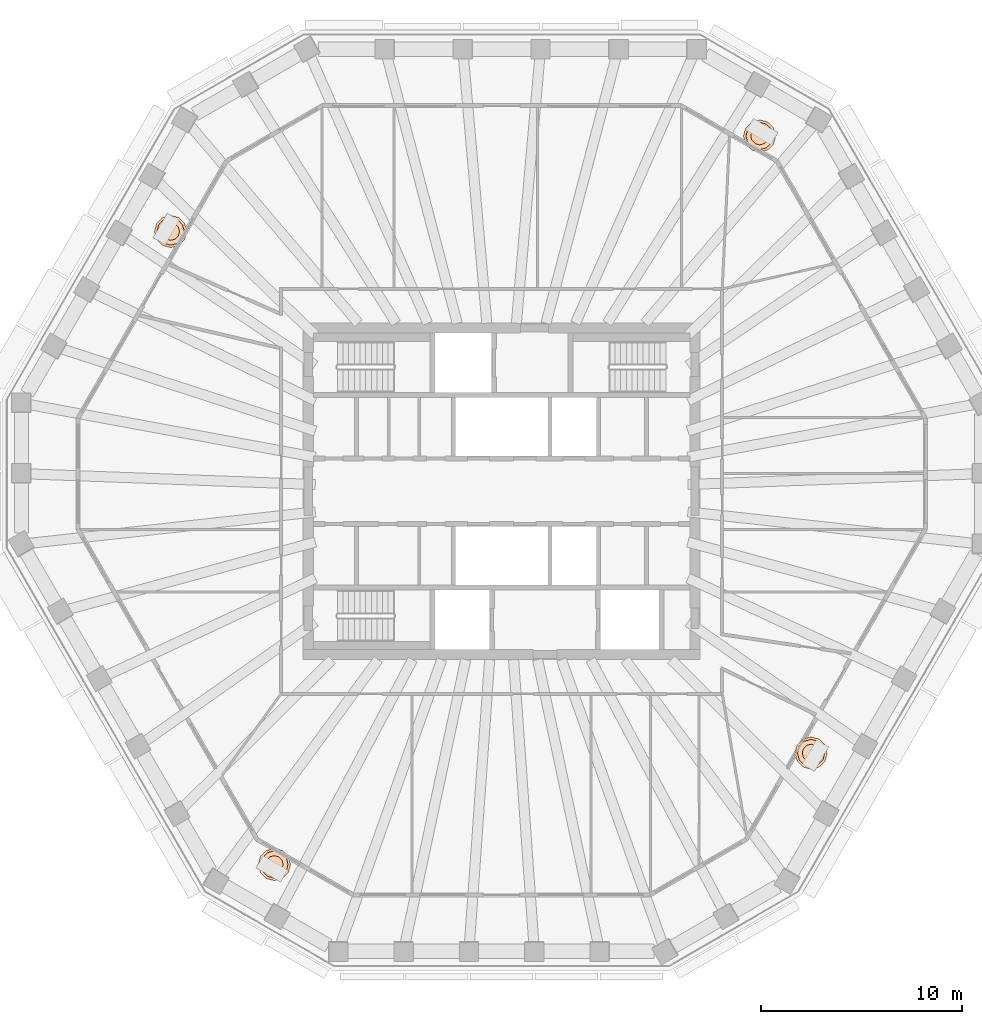
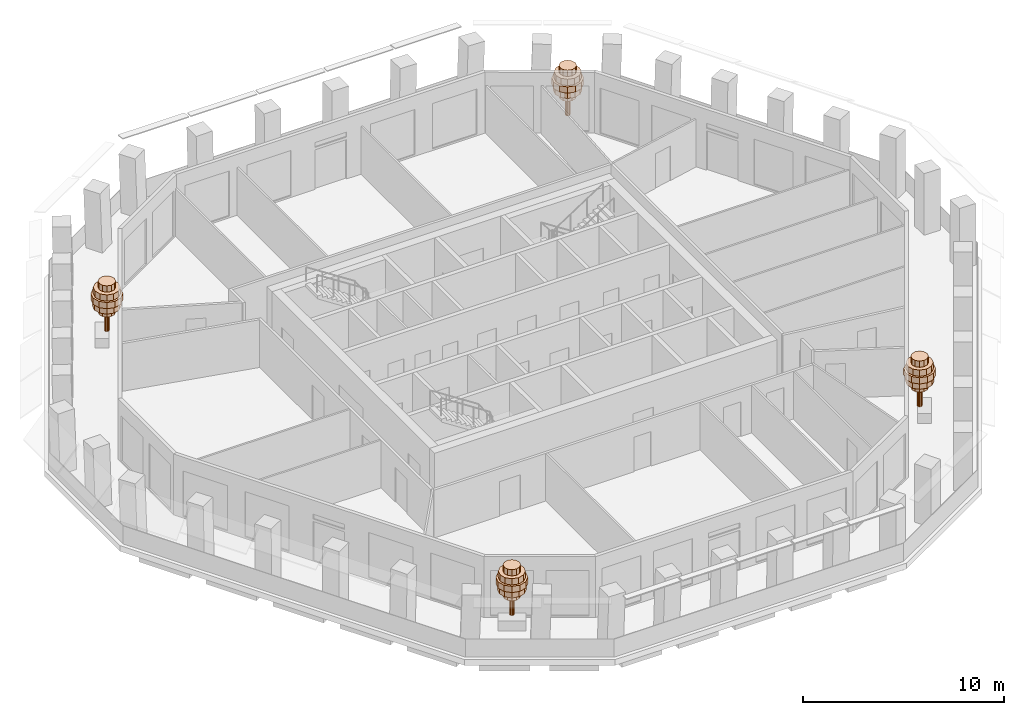
# One storey, part 12 of 12: 4 geographic elements.
"""IFC4 building model written with IfcOpenShell, lengths in metres."""

from ifc_helpers import new_model, si_unit, direction, frame, origin, place, context, subcontext, project, spatial, polyline, outline, extrude, material, type_object, element, save


model = new_model("IFC4")

# Units and contexts
model_context = context("Model", 3, precision=1e-05, world=origin(), true_north=direction((0.0, 1.0)))
body_context = subcontext(model_context, "Body", "Model", "MODEL_VIEW")
ifc_project = project(units=[si_unit("LENGTHUNIT", "METRE"), si_unit("AREAUNIT", "SQUARE_METRE"), si_unit("VOLUMEUNIT", "CUBIC_METRE"), si_unit("PLANEANGLEUNIT", "RADIAN"), si_unit("MASSUNIT", "GRAM", prefix="KILO")], contexts=[model_context])

# Site, building, storey
site_placement = place(None, origin())
site = spatial("IfcSite", under=ifc_project, at=site_placement, CompositionType="ELEMENT")
building_placement = place(site_placement, origin())
building = spatial("IfcBuilding", under=site, at=building_placement, Name="Frailejon Research Tower", CompositionType="ELEMENT")
storey_placement = place(building_placement, frame((0.0, 0.0, 291.0)))
storey = spatial("IfcBuildingStorey", under=building, at=storey_placement, Name="L64", CompositionType="ELEMENT", Elevation=291.0)

# Geographic elements
ifc_material = material(Name="Foliage, green")
geographic_element_type = type_object("IfcGeographicElementType", Name="Frailejon tree, loggia", PredefinedType="USERDEFINED", material=ifc_material)
geographic_element_1_placement = place(storey_placement, frame((12.80615234375, 17.642333984375, 0.60009765625)))
element("IfcGeographicElement", 1, at=geographic_element_1_placement, inside=storey, type_object=geographic_element_type, Name="Tree L64", ObjectType="TREE", PredefinedType="USERDEFINED", context=body_context, shape_type="SweptSolid", body=[
    extrude(outline(polyline([(0.1298828125, 0.0), (0.112548828125, 0.06494140625), (0.06494140625, 0.112548828125), (0.0, 0.1298828125), (-0.06494140625, 0.112548828125), (-0.112548828125, 0.06494140625), (-0.1298828125, 0.0), (-0.112548828125, -0.06494140625), (-0.06494140625, -0.112548828125), (0.0, -0.1298828125), (0.06494140625, -0.112548828125), (0.112548828125, -0.06494140625), (0.1298828125, 0.0)])), origin(), (0.0, 0.0, 1.0), 2.239990234375),
    extrude(outline(polyline([(0.43994140625, 0.0), (0.381103515625, 0.219970703125), (0.219970703125, 0.381103515625), (0.0, 0.43994140625), (-0.219970703125, 0.381103515625), (-0.381103515625, 0.219970703125), (-0.43994140625, 0.0), (-0.381103515625, -0.219970703125), (-0.219970703125, -0.381103515625), (0.0, -0.43994140625), (0.219970703125, -0.381103515625), (0.381103515625, -0.219970703125), (0.43994140625, 0.0)])), frame((0.0, 0.0, 1.10009765625)), (0.0, 0.0, 1.0), 0.3798828125),
    extrude(outline(polyline([(0.719970703125, 0.0), (0.62353515625, 0.360107421875), (0.360107421875, 0.62353515625), (0.0, 0.719970703125), (-0.360107421875, 0.62353515625), (-0.62353515625, 0.360107421875), (-0.719970703125, 0.0), (-0.62353515625, -0.360107421875), (-0.360107421875, -0.62353515625), (0.0, -0.719970703125), (0.360107421875, -0.62353515625), (0.62353515625, -0.360107421875), (0.719970703125, 0.0)])), frame((0.0, 0.0, 1.47998046875)), (0.0, 0.0, 1.0), 0.3798828125),
    extrude(outline(polyline([(0.800048828125, 0.0), (0.69287109375, 0.39990234375), (0.39990234375, 0.69287109375), (0.0, 0.800048828125), (-0.39990234375, 0.69287109375), (-0.69287109375, 0.39990234375), (-0.800048828125, 0.0), (-0.69287109375, -0.39990234375), (-0.39990234375, -0.69287109375), (0.0, -0.800048828125), (0.39990234375, -0.69287109375), (0.69287109375, -0.39990234375), (0.800048828125, 0.0)])), frame((0.0, 0.0, 1.860107421875)), (0.0, 0.0, 1.0), 0.3798828125),
    extrude(outline(polyline([(0.679931640625, 0.0), (0.5888671875, 0.340087890625), (0.340087890625, 0.5888671875), (0.0, 0.679931640625), (-0.340087890625, 0.5888671875), (-0.5888671875, 0.340087890625), (-0.679931640625, 0.0), (-0.5888671875, -0.340087890625), (-0.340087890625, -0.5888671875), (0.0, -0.679931640625), (0.340087890625, -0.5888671875), (0.5888671875, -0.340087890625), (0.679931640625, 0.0)])), frame((0.0, 0.0, 2.239990234375)), (0.0, 0.0, 1.0), 0.3798828125),
    extrude(outline(polyline([(0.43994140625, 0.0), (0.381103515625, 0.219970703125), (0.219970703125, 0.381103515625), (0.0, 0.43994140625), (-0.219970703125, 0.381103515625), (-0.381103515625, 0.219970703125), (-0.43994140625, 0.0), (-0.381103515625, -0.219970703125), (-0.219970703125, -0.381103515625), (0.0, -0.43994140625), (0.219970703125, -0.381103515625), (0.381103515625, -0.219970703125), (0.43994140625, 0.0)])), frame((0.0, 0.0, 2.6201171875)), (0.0, 0.0, 1.0), 0.3798828125),
])
geographic_element_2_placement = place(storey_placement, frame((-16.4296875, 12.902587890625, 0.60009765625)))
element("IfcGeographicElement", 2, at=geographic_element_2_placement, inside=storey, type_object=geographic_element_type, Name="Tree L64", ObjectType="TREE", PredefinedType="USERDEFINED", context=body_context, shape_type="SweptSolid", body=[
    extrude(outline(polyline([(0.1298828125, 0.0), (0.112548828125, 0.06494140625), (0.06494140625, 0.112548828125), (0.0, 0.1298828125), (-0.06494140625, 0.112548828125), (-0.112548828125, 0.06494140625), (-0.1298828125, 0.0), (-0.112548828125, -0.06494140625), (-0.06494140625, -0.112548828125), (0.0, -0.1298828125), (0.06494140625, -0.112548828125), (0.112548828125, -0.06494140625), (0.1298828125, 0.0)])), origin(), (0.0, 0.0, 1.0), 2.239990234375),
    extrude(outline(polyline([(0.43994140625, 0.0), (0.381103515625, 0.219970703125), (0.219970703125, 0.381103515625), (0.0, 0.43994140625), (-0.219970703125, 0.381103515625), (-0.381103515625, 0.219970703125), (-0.43994140625, 0.0), (-0.381103515625, -0.219970703125), (-0.219970703125, -0.381103515625), (0.0, -0.43994140625), (0.219970703125, -0.381103515625), (0.381103515625, -0.219970703125), (0.43994140625, 0.0)])), frame((0.0, 0.0, 1.10009765625)), (0.0, 0.0, 1.0), 0.3798828125),
    extrude(outline(polyline([(0.719970703125, 0.0), (0.62353515625, 0.360107421875), (0.360107421875, 0.62353515625), (0.0, 0.719970703125), (-0.360107421875, 0.62353515625), (-0.62353515625, 0.360107421875), (-0.719970703125, 0.0), (-0.62353515625, -0.360107421875), (-0.360107421875, -0.62353515625), (0.0, -0.719970703125), (0.360107421875, -0.62353515625), (0.62353515625, -0.360107421875), (0.719970703125, 0.0)])), frame((0.0, 0.0, 1.47998046875)), (0.0, 0.0, 1.0), 0.3798828125),
    extrude(outline(polyline([(0.800048828125, 0.0), (0.69287109375, 0.39990234375), (0.39990234375, 0.69287109375), (0.0, 0.800048828125), (-0.39990234375, 0.69287109375), (-0.69287109375, 0.39990234375), (-0.800048828125, 0.0), (-0.69287109375, -0.39990234375), (-0.39990234375, -0.69287109375), (0.0, -0.800048828125), (0.39990234375, -0.69287109375), (0.69287109375, -0.39990234375), (0.800048828125, 0.0)])), frame((0.0, 0.0, 1.860107421875)), (0.0, 0.0, 1.0), 0.3798828125),
    extrude(outline(polyline([(0.679931640625, 0.0), (0.5888671875, 0.340087890625), (0.340087890625, 0.5888671875), (0.0, 0.679931640625), (-0.340087890625, 0.5888671875), (-0.5888671875, 0.340087890625), (-0.679931640625, 0.0), (-0.5888671875, -0.340087890625), (-0.340087890625, -0.5888671875), (0.0, -0.679931640625), (0.340087890625, -0.5888671875), (0.5888671875, -0.340087890625), (0.679931640625, 0.0)])), frame((0.0, 0.0, 2.239990234375)), (0.0, 0.0, 1.0), 0.3798828125),
    extrude(outline(polyline([(0.43994140625, 0.0), (0.381103515625, 0.219970703125), (0.219970703125, 0.381103515625), (0.0, 0.43994140625), (-0.219970703125, 0.381103515625), (-0.381103515625, 0.219970703125), (-0.43994140625, 0.0), (-0.381103515625, -0.219970703125), (-0.219970703125, -0.381103515625), (0.0, -0.43994140625), (0.219970703125, -0.381103515625), (0.381103515625, -0.219970703125), (0.43994140625, 0.0)])), frame((0.0, 0.0, 2.6201171875)), (0.0, 0.0, 1.0), 0.3798828125),
])
geographic_element_3_placement = place(storey_placement, frame((-11.281982421875, -18.5224609375, 0.60009765625)))
element("IfcGeographicElement", 3, at=geographic_element_3_placement, inside=storey, type_object=geographic_element_type, Name="Tree L64", ObjectType="TREE", PredefinedType="USERDEFINED", context=body_context, shape_type="SweptSolid", body=[
    extrude(outline(polyline([(0.1298828125, 0.0), (0.112548828125, 0.06494140625), (0.06494140625, 0.112548828125), (0.0, 0.1298828125), (-0.06494140625, 0.112548828125), (-0.112548828125, 0.06494140625), (-0.1298828125, 0.0), (-0.112548828125, -0.06494140625), (-0.06494140625, -0.112548828125), (0.0, -0.1298828125), (0.06494140625, -0.112548828125), (0.112548828125, -0.06494140625), (0.1298828125, 0.0)])), origin(), (0.0, 0.0, 1.0), 2.239990234375),
    extrude(outline(polyline([(0.43994140625, 0.0), (0.381103515625, 0.219970703125), (0.219970703125, 0.381103515625), (0.0, 0.43994140625), (-0.219970703125, 0.381103515625), (-0.381103515625, 0.219970703125), (-0.43994140625, 0.0), (-0.381103515625, -0.219970703125), (-0.219970703125, -0.381103515625), (0.0, -0.43994140625), (0.219970703125, -0.381103515625), (0.381103515625, -0.219970703125), (0.43994140625, 0.0)])), frame((0.0, 0.0, 1.10009765625)), (0.0, 0.0, 1.0), 0.3798828125),
    extrude(outline(polyline([(0.719970703125, 0.0), (0.62353515625, 0.360107421875), (0.360107421875, 0.62353515625), (0.0, 0.719970703125), (-0.360107421875, 0.62353515625), (-0.62353515625, 0.360107421875), (-0.719970703125, 0.0), (-0.62353515625, -0.360107421875), (-0.360107421875, -0.62353515625), (0.0, -0.719970703125), (0.360107421875, -0.62353515625), (0.62353515625, -0.360107421875), (0.719970703125, 0.0)])), frame((0.0, 0.0, 1.47998046875)), (0.0, 0.0, 1.0), 0.3798828125),
    extrude(outline(polyline([(0.800048828125, 0.0), (0.69287109375, 0.39990234375), (0.39990234375, 0.69287109375), (0.0, 0.800048828125), (-0.39990234375, 0.69287109375), (-0.69287109375, 0.39990234375), (-0.800048828125, 0.0), (-0.69287109375, -0.39990234375), (-0.39990234375, -0.69287109375), (0.0, -0.800048828125), (0.39990234375, -0.69287109375), (0.69287109375, -0.39990234375), (0.800048828125, 0.0)])), frame((0.0, 0.0, 1.860107421875)), (0.0, 0.0, 1.0), 0.3798828125),
    extrude(outline(polyline([(0.679931640625, 0.0), (0.5888671875, 0.340087890625), (0.340087890625, 0.5888671875), (0.0, 0.679931640625), (-0.340087890625, 0.5888671875), (-0.5888671875, 0.340087890625), (-0.679931640625, 0.0), (-0.5888671875, -0.340087890625), (-0.340087890625, -0.5888671875), (0.0, -0.679931640625), (0.340087890625, -0.5888671875), (0.5888671875, -0.340087890625), (0.679931640625, 0.0)])), frame((0.0, 0.0, 2.239990234375)), (0.0, 0.0, 1.0), 0.3798828125),
    extrude(outline(polyline([(0.43994140625, 0.0), (0.381103515625, 0.219970703125), (0.219970703125, 0.381103515625), (0.0, 0.43994140625), (-0.219970703125, 0.381103515625), (-0.381103515625, 0.219970703125), (-0.43994140625, 0.0), (-0.381103515625, -0.219970703125), (-0.219970703125, -0.381103515625), (0.0, -0.43994140625), (0.219970703125, -0.381103515625), (0.381103515625, -0.219970703125), (0.43994140625, 0.0)])), frame((0.0, 0.0, 2.6201171875)), (0.0, 0.0, 1.0), 0.3798828125),
])
geographic_element_4_placement = place(storey_placement, frame((15.363037109375, -12.990478515625, 0.60009765625)))
element("IfcGeographicElement", 4, at=geographic_element_4_placement, inside=storey, type_object=geographic_element_type, Name="Tree L64", ObjectType="TREE", PredefinedType="USERDEFINED", context=body_context, shape_type="SweptSolid", body=[
    extrude(outline(polyline([(0.1298828125, 0.0), (0.112548828125, 0.06494140625), (0.06494140625, 0.112548828125), (0.0, 0.1298828125), (-0.06494140625, 0.112548828125), (-0.112548828125, 0.06494140625), (-0.1298828125, 0.0), (-0.112548828125, -0.06494140625), (-0.06494140625, -0.112548828125), (0.0, -0.1298828125), (0.06494140625, -0.112548828125), (0.112548828125, -0.06494140625), (0.1298828125, 0.0)])), origin(), (0.0, 0.0, 1.0), 2.239990234375),
    extrude(outline(polyline([(0.43994140625, 0.0), (0.381103515625, 0.219970703125), (0.219970703125, 0.381103515625), (0.0, 0.43994140625), (-0.219970703125, 0.381103515625), (-0.381103515625, 0.219970703125), (-0.43994140625, 0.0), (-0.381103515625, -0.219970703125), (-0.219970703125, -0.381103515625), (0.0, -0.43994140625), (0.219970703125, -0.381103515625), (0.381103515625, -0.219970703125), (0.43994140625, 0.0)])), frame((0.0, 0.0, 1.10009765625)), (0.0, 0.0, 1.0), 0.3798828125),
    extrude(outline(polyline([(0.719970703125, 0.0), (0.62353515625, 0.360107421875), (0.360107421875, 0.62353515625), (0.0, 0.719970703125), (-0.360107421875, 0.62353515625), (-0.62353515625, 0.360107421875), (-0.719970703125, 0.0), (-0.62353515625, -0.360107421875), (-0.360107421875, -0.62353515625), (0.0, -0.719970703125), (0.360107421875, -0.62353515625), (0.62353515625, -0.360107421875), (0.719970703125, 0.0)])), frame((0.0, 0.0, 1.47998046875)), (0.0, 0.0, 1.0), 0.3798828125),
    extrude(outline(polyline([(0.800048828125, 0.0), (0.69287109375, 0.39990234375), (0.39990234375, 0.69287109375), (0.0, 0.800048828125), (-0.39990234375, 0.69287109375), (-0.69287109375, 0.39990234375), (-0.800048828125, 0.0), (-0.69287109375, -0.39990234375), (-0.39990234375, -0.69287109375), (0.0, -0.800048828125), (0.39990234375, -0.69287109375), (0.69287109375, -0.39990234375), (0.800048828125, 0.0)])), frame((0.0, 0.0, 1.860107421875)), (0.0, 0.0, 1.0), 0.3798828125),
    extrude(outline(polyline([(0.679931640625, 0.0), (0.5888671875, 0.340087890625), (0.340087890625, 0.5888671875), (0.0, 0.679931640625), (-0.340087890625, 0.5888671875), (-0.5888671875, 0.340087890625), (-0.679931640625, 0.0), (-0.5888671875, -0.340087890625), (-0.340087890625, -0.5888671875), (0.0, -0.679931640625), (0.340087890625, -0.5888671875), (0.5888671875, -0.340087890625), (0.679931640625, 0.0)])), frame((0.0, 0.0, 2.239990234375)), (0.0, 0.0, 1.0), 0.3798828125),
    extrude(outline(polyline([(0.43994140625, 0.0), (0.381103515625, 0.219970703125), (0.219970703125, 0.381103515625), (0.0, 0.43994140625), (-0.219970703125, 0.381103515625), (-0.381103515625, 0.219970703125), (-0.43994140625, 0.0), (-0.381103515625, -0.219970703125), (-0.219970703125, -0.381103515625), (0.0, -0.43994140625), (0.219970703125, -0.381103515625), (0.381103515625, -0.219970703125), (0.43994140625, 0.0)])), frame((0.0, 0.0, 2.6201171875)), (0.0, 0.0, 1.0), 0.3798828125),
])

save(model, "model.ifc")
